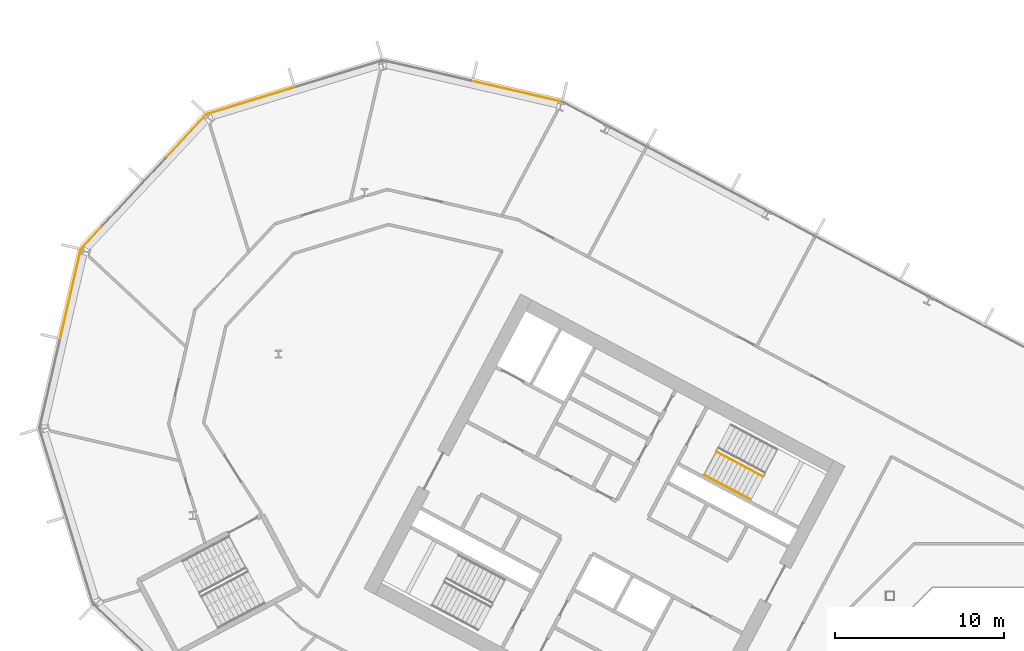
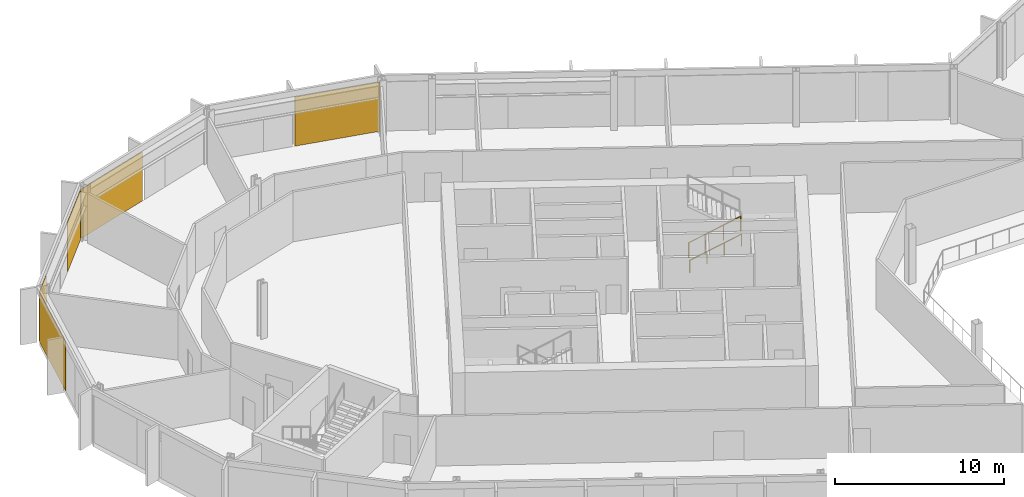
# One storey, part 22 of 28: 5 coverings, 2 railings, 4 elements without a shape of their own.
"""IFC4 building model written with IfcOpenShell, lengths in metres."""

from ifc_helpers import new_model, si_unit, direction, frame, origin, origin_2d, place, context, subcontext, project, spatial, polyline, rectangle, outline, extrude, material, layer, layer_set, type_object, element, aggregate, save


model = new_model("IFC4")

# Units and contexts
model_context = context("Model", 3, precision=1e-05, world=origin(), true_north=direction((0.0, 1.0)))
body_context = subcontext(model_context, "Body", "Model", "MODEL_VIEW")
ifc_project = project(units=[si_unit("LENGTHUNIT", "METRE"), si_unit("AREAUNIT", "SQUARE_METRE"), si_unit("VOLUMEUNIT", "CUBIC_METRE"), si_unit("PLANEANGLEUNIT", "RADIAN"), si_unit("MASSUNIT", "GRAM", prefix="KILO")], contexts=[model_context])

# Site, building, storey
site_placement = place(None, origin())
site = spatial("IfcSite", under=ifc_project, at=site_placement, CompositionType="ELEMENT")
building_placement = place(site_placement, origin())
building = spatial("IfcBuilding", under=site, at=building_placement, Name="Cormorant Relay Tower", CompositionType="ELEMENT")
storey_placement = place(building_placement, frame((0.0, 0.0, 174.199951171875)))
storey = spatial("IfcBuildingStorey", under=building, at=storey_placement, Name="L37", CompositionType="ELEMENT", Elevation=174.199951171875)

# Curtain wall, covering
ifc_material_1 = material(Name="Aluminium 6063-T6 anodised bronze", Category="aluminium")
ifc_layer_1 = layer(ifc_material_1, 0.199951171875)
ifc_layer_set_1 = layer_set([ifc_layer_1], Name="CW1 unitised bronze curtain wall with vertical fins")
curtain_wall_type = type_object("IfcCurtainWallType", Name="CW1 unitised bronze curtain wall with vertical fins", PredefinedType="NOTDEFINED", material=ifc_layer_set_1)
curtain_wall_1_placement = place(storey_placement, origin())
curtain_wall_1 = element("IfcCurtainWall", 1, at=curtain_wall_1_placement, inside=storey, type_object=curtain_wall_type, Name="CW1 curtain wall 10", PredefinedType="NOTDEFINED")
ifc_material_2 = material(Name="Pale bronze anodised aluminium insulated panel", Category="aluminium")
ifc_layer_2 = layer(ifc_material_2, 0.0400390625)
ifc_layer_set_2 = layer_set([ifc_layer_2], Name="CW1 pale bronze insulated panel 40")
covering_type = type_object("IfcCoveringType", Name="CW1 pale bronze insulated panel 40", PredefinedType="CLADDING", material=ifc_layer_set_2)
covering_1_placement = place(storey_placement, frame((-32.51708984375, 40.298828125, 0.0), z_axis=(0.0, 0.0, 1.0), x_axis=(-0.974370064785, 0.224951054344, 0.0)))
covering_1 = element("IfcCovering", 2, at=covering_1_placement, type_object=covering_type, Name="CW1 panel S00", PredefinedType="CLADDING", context=body_context, shape_type="SweptSolid", body=[
    extrude(rectangle(XDim=5.28515625, YDim=0.0400390625, at=origin_2d()), origin(), (0.0, 0.0, 1.0), 3.550048828125),
])
aggregate(curtain_wall_1, [covering_1])

curtain_wall_2_placement = place(storey_placement, origin())
curtain_wall_2 = element("IfcCurtainWall", 3, at=curtain_wall_2_placement, inside=storey, type_object=curtain_wall_type, Name="CW1 curtain wall 11", PredefinedType="NOTDEFINED")
covering_2_placement = place(storey_placement, frame((-48.3037109375, 39.73779296875, 0.0), z_axis=(0.0, 0.0, 1.0), x_axis=(-0.956304755963, -0.292371704723, 0.0)))
covering_2 = element("IfcCovering", 4, at=covering_2_placement, type_object=covering_type, Name="CW1 panel S02", PredefinedType="CLADDING", context=body_context, shape_type="SweptSolid", body=[
    extrude(rectangle(XDim=5.360107421875, YDim=0.0400390625, at=origin_2d()), origin(), (0.0, 0.0, 1.0), 3.550048828125),
])
aggregate(curtain_wall_2, [covering_2])

# Curtain wall, coverings
curtain_wall_3_placement = place(storey_placement, origin())
curtain_wall_3 = element("IfcCurtainWall", 5, at=curtain_wall_3_placement, inside=storey, type_object=curtain_wall_type, Name="CW1 curtain wall 12", PredefinedType="NOTDEFINED")
covering_3_placement = place(storey_placement, frame((-52.115234375, 37.61962890625, 0.0), z_axis=(0.0, 0.0, 1.0), x_axis=(-0.681998360062, -0.731353701619, 0.0)))
covering_3 = element("IfcCovering", 6, at=covering_3_placement, type_object=covering_type, Name="CW1 panel S00", PredefinedType="CLADDING", context=body_context, shape_type="SweptSolid", body=[
    extrude(rectangle(XDim=3.485107421875, YDim=0.0400390625, at=origin_2d()), origin(), (0.0, 0.0, 1.0), 3.550048828125),
])
covering_4_placement = place(storey_placement, frame((-57.68896484375, 31.642333984375, 0.0), z_axis=(0.0, 0.0, 1.0), x_axis=(-0.681998360062, -0.731353701619, 0.0)))
covering_4 = element("IfcCovering", 7, at=covering_4_placement, type_object=covering_type, Name="CW1 panel S03", PredefinedType="CLADDING", context=body_context, shape_type="SweptSolid", body=[
    extrude(rectangle(XDim=1.76025390625, YDim=0.0400390625, at=origin_2d()), origin(), (0.0, 0.0, 1.0), 3.550048828125),
])
aggregate(curtain_wall_3, [covering_3, covering_4])

# Curtain wall, covering
curtain_wall_4_placement = place(storey_placement, origin())
curtain_wall_4 = element("IfcCurtainWall", 8, at=curtain_wall_4_placement, inside=storey, type_object=curtain_wall_type, Name="CW1 curtain wall 13", PredefinedType="NOTDEFINED")
covering_5_placement = place(storey_placement, frame((-58.905517578125, 28.341796875, 0.0), z_axis=(0.0, 0.0, 1.0), x_axis=(-0.224951054344, -0.974370064785, 0.0)))
covering_5 = element("IfcCovering", 9, at=covering_5_placement, type_object=covering_type, Name="CW1 panel S00", PredefinedType="CLADDING", context=body_context, shape_type="SweptSolid", body=[
    extrude(rectangle(XDim=5.28515625, YDim=0.0400390625, at=origin_2d()), origin(), (0.0, 0.0, 1.0), 3.550048828125),
])
aggregate(curtain_wall_4, [covering_5])

# Railings
ifc_material_3 = material(Name="Steel ASTM A572 Grade 50 (Fy 345 MPa)", Category="steel")
railing_type_1 = type_object("IfcRailingType", Name="Stair guard 1100", PredefinedType="GUARDRAIL", material=ifc_material_3)
railing_1_placement = place(storey_placement, frame((-20.75048828125, 19.017822265625, 0.166748046875)))
element("IfcRailing", 10, at=railing_1_placement, inside=storey, type_object=railing_type_1, Name="L37 A1 stair guard 1", PredefinedType="GUARDRAIL", context=body_context, shape_type="SweptSolid", body=[
    extrude(outline(polyline([(0.022216796875, 0.00927734375), (0.00927734375, 0.022216796875), (-0.00927734375, 0.022216796875), (-0.022216796875, 0.00927734375), (-0.022216796875, -0.00927734375), (-0.00927734375, -0.022216796875), (0.00927734375, -0.022216796875), (0.022216796875, -0.00927734375), (0.022216796875, 0.00927734375)])), frame((0.0, 0.0, 1.076171875), z_axis=(0.758734504837, -0.403377838015, 0.511476559549), x_axis=(0.469427602063, 0.882970965786, 0.0)), (0.0, 0.0, 1.0), 3.584228515625),
    extrude(outline(polyline([(0.019287109375, 0.008056640625), (0.008056640625, 0.019287109375), (-0.008056640625, 0.019287109375), (-0.019287109375, 0.008056640625), (-0.019287109375, -0.008056640625), (-0.008056640625, -0.019287109375), (0.008056640625, -0.019287109375), (0.019287109375, -0.008056640625), (0.019287109375, 0.008056640625)])), origin(), (0.0, 0.0, 1.0), 1.052001953125),
    extrude(outline(polyline([(0.019287109375, 0.008056640625), (0.008056640625, 0.019287109375), (-0.008056640625, 0.019287109375), (-0.019287109375, 0.008056640625), (-0.019287109375, -0.008056640625), (-0.008056640625, -0.019287109375), (0.008056640625, -0.019287109375), (0.019287109375, -0.008056640625), (0.019287109375, 0.008056640625)])), frame((0.906494140625, -0.48193359375, 0.611083984375)), (0.0, 0.0, 1.0), 1.052001953125),
    extrude(outline(polyline([(0.019287109375, 0.008056640625), (0.008056640625, 0.019287109375), (-0.008056640625, 0.019287109375), (-0.019287109375, 0.008056640625), (-0.019287109375, -0.008056640625), (-0.008056640625, -0.019287109375), (0.008056640625, -0.019287109375), (0.019287109375, -0.008056640625), (0.019287109375, 0.008056640625)])), frame((1.81298828125, -0.9638671875, 1.22216796875)), (0.0, 0.0, 1.0), 1.052001953125),
    extrude(outline(polyline([(0.019287109375, 0.008056640625), (0.008056640625, 0.019287109375), (-0.008056640625, 0.019287109375), (-0.019287109375, 0.008056640625), (-0.019287109375, -0.008056640625), (-0.008056640625, -0.019287109375), (0.008056640625, -0.019287109375), (0.019287109375, -0.008056640625), (0.019287109375, 0.008056640625)])), frame((2.719482421875, -1.44580078125, 1.833251953125)), (0.0, 0.0, 1.0), 1.052001953125),
])
ifc_material_4 = material(Name="Steel ASTM A572 Grade 50 (Fy 345 MPa)", Category="steel")
railing_type_2 = type_object("IfcRailingType", Name="Stair handrail 900", PredefinedType="HANDRAIL", material=ifc_material_4)
railing_2_placement = place(storey_placement, frame((-21.478271484375, 17.6494140625, 0.166748046875)))
element("IfcRailing", 11, at=railing_2_placement, inside=storey, type_object=railing_type_2, Name="L37 A1 stair handrail 1", PredefinedType="HANDRAIL", context=body_context, shape_type="SweptSolid", body=[
    extrude(outline(polyline([(0.022216796875, 0.00927734375), (0.00927734375, 0.022216796875), (-0.00927734375, 0.022216796875), (-0.022216796875, 0.00927734375), (-0.022216796875, -0.00927734375), (-0.00927734375, -0.022216796875), (0.00927734375, -0.022216796875), (0.022216796875, -0.00927734375), (0.022216796875, 0.00927734375)])), frame((0.0, 0.0, 0.8759765625), z_axis=(0.758713656843, -0.403434867536, 0.511462505542), x_axis=(0.469489399267, 0.882938108802, 0.0)), (0.0, 0.0, 1.0), 3.584228515625),
    extrude(outline(polyline([(0.019287109375, 0.008056640625), (0.008056640625, 0.019287109375), (-0.008056640625, 0.019287109375), (-0.019287109375, 0.008056640625), (-0.019287109375, -0.008056640625), (-0.008056640625, -0.019287109375), (0.008056640625, -0.019287109375), (0.019287109375, -0.008056640625), (0.019287109375, 0.008056640625)])), origin(), (0.0, 0.0, 1.0), 0.851806640625),
    extrude(outline(polyline([(0.019287109375, 0.008056640625), (0.008056640625, 0.019287109375), (-0.008056640625, 0.019287109375), (-0.019287109375, 0.008056640625), (-0.019287109375, -0.008056640625), (-0.008056640625, -0.019287109375), (0.008056640625, -0.019287109375), (0.019287109375, -0.008056640625), (0.019287109375, 0.008056640625)])), frame((0.906494140625, -0.48193359375, 0.611083984375)), (0.0, 0.0, 1.0), 0.851806640625),
    extrude(outline(polyline([(0.019287109375, 0.008056640625), (0.008056640625, 0.019287109375), (-0.008056640625, 0.019287109375), (-0.019287109375, 0.008056640625), (-0.019287109375, -0.008056640625), (-0.008056640625, -0.019287109375), (0.008056640625, -0.019287109375), (0.019287109375, -0.008056640625), (0.019287109375, 0.008056640625)])), frame((1.81298828125, -0.964111328125, 1.22216796875)), (0.0, 0.0, 1.0), 0.851806640625),
    extrude(outline(polyline([(0.019287109375, 0.008056640625), (0.008056640625, 0.019287109375), (-0.008056640625, 0.019287109375), (-0.019287109375, 0.008056640625), (-0.019287109375, -0.008056640625), (-0.008056640625, -0.019287109375), (0.008056640625, -0.019287109375), (0.019287109375, -0.008056640625), (0.019287109375, 0.008056640625)])), frame((2.719482421875, -1.446044921875, 1.833251953125)), (0.0, 0.0, 1.0), 0.851806640625),
])

save(model, "model.ifc")
